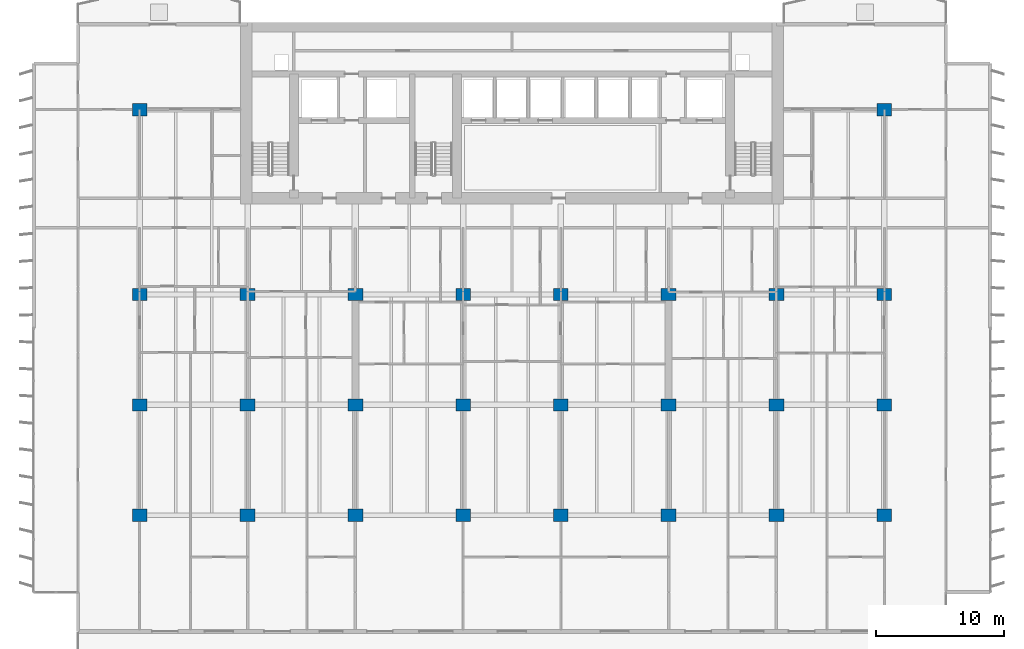
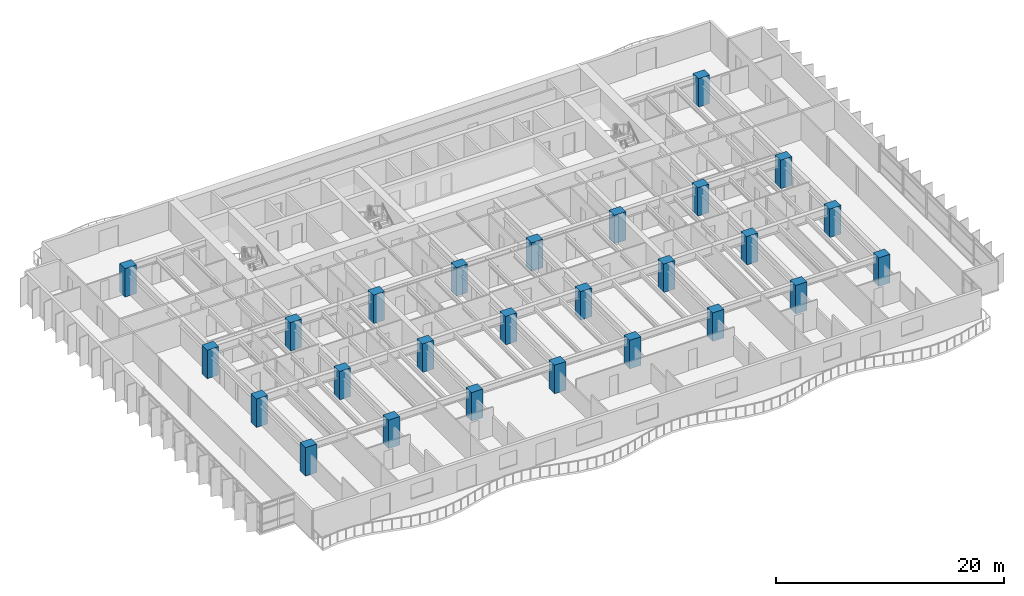
# One storey, part 1 of 17: 26 columns.
"""IFC4 building model written with IfcOpenShell, lengths in metres."""

from ifc_helpers import new_model, si_unit, direction, frame, origin, origin_2d, place, context, subcontext, project, spatial, rectangle, extrude, material, material_profile, profile_set, type_object, element, save


model = new_model("IFC4")

# Units and contexts
model_context = context("Model", 3, precision=1e-05, world=origin(), true_north=direction((0.0, 1.0)))
body_context = subcontext(model_context, "Body", "Model", "MODEL_VIEW")
ifc_project = project(units=[si_unit("LENGTHUNIT", "METRE"), si_unit("AREAUNIT", "SQUARE_METRE"), si_unit("VOLUMEUNIT", "CUBIC_METRE"), si_unit("PLANEANGLEUNIT", "RADIAN"), si_unit("MASSUNIT", "GRAM", prefix="KILO")], contexts=[model_context])

# Site, building, storey
site_placement = place(None, origin())
site = spatial("IfcSite", under=ifc_project, at=site_placement, CompositionType="ELEMENT")
building_placement = place(site_placement, origin())
building = spatial("IfcBuilding", under=site, at=building_placement, Name="Caelmar Bay Residences", CompositionType="ELEMENT")
storey_placement = place(building_placement, frame((0.0, 0.0, 49.800048828125)))
storey = spatial("IfcBuildingStorey", under=building, at=storey_placement, Name="L12", CompositionType="ELEMENT", Elevation=49.800048828125)

# Columns
ifc_material = material(Name="Concrete f'c 70 MPa (10,000 psi)", Category="concrete")
ifc_material_profile = material_profile(ifc_material, rectangle(XDim=1.14990234375, YDim=0.949951171875, at=origin_2d()), Name="RC-COL-1150X950")
ifc_profile_set = profile_set([ifc_material_profile], Name="Concrete f'c 70 MPa (10,000 psi)")
column_type = type_object("IfcColumnType", Name="COL-RC-1150X950", PredefinedType="COLUMN", material=ifc_profile_set)
for number, where, z_axis, x_axis, name in (
    (1, (9.89990234375, 12.199951171875, 0.0), (0.0, 0.0, 1.0), (1.0, 0.0, 0.0), "L12 Column (9.90,12.20)"),
    (2, (18.300048828125, 12.199951171875, 0.0), (0.0, 0.0, 1.0), (1.0, 0.0, 0.0), "L12 Column (18.30,12.20)"),
    (3, (26.699951171875, 12.199951171875, 0.0), (0.0, 0.0, 1.0), (1.0, 0.0, 0.0), "L12 Column (26.70,12.20)"),
    (4, (35.10009765625, 12.199951171875, 0.0), (0.0, 0.0, 1.0), (1.0, 0.0, 0.0), "L12 Column (35.10,12.20)"),
    (5, (42.699951171875, 12.199951171875, 0.0), (0.0, 0.0, 1.0), (1.0, 0.0, 0.0), "L12 Column (42.70,12.20)"),
    (6, (51.10009765625, 12.199951171875, 0.0), (0.0, 0.0, 1.0), (1.0, 0.0, 0.0), "L12 Column (51.10,12.20)"),
    (7, (59.5, 12.199951171875, 0.0), (0.0, 0.0, 1.0), (1.0, 0.0, 0.0), "L12 Column (59.50,12.20)"),
    (8, (67.89990234375, 12.199951171875, 0.0), (0.0, 0.0, 1.0), (1.0, 0.0, 0.0), "L12 Column (67.90,12.20)"),
    (9, (9.89990234375, 20.800048828125, 0.0), (0.0, 0.0, 1.0), (1.0, 0.0, 0.0), "L12 Column (9.90,20.80)"),
    (10, (18.300048828125, 20.800048828125, 0.0), (0.0, 0.0, 1.0), (1.0, 0.0, 0.0), "L12 Column (18.30,20.80)"),
    (11, (26.699951171875, 20.800048828125, 0.0), (0.0, 0.0, 1.0), (1.0, 0.0, 0.0), "L12 Column (26.70,20.80)"),
    (12, (35.10009765625, 20.800048828125, 0.0), (0.0, 0.0, 1.0), (1.0, 0.0, 0.0), "L12 Column (35.10,20.80)"),
    (13, (42.699951171875, 20.800048828125, 0.0), (0.0, 0.0, 1.0), (1.0, 0.0, 0.0), "L12 Column (42.70,20.80)"),
    (14, (51.10009765625, 20.800048828125, 0.0), (0.0, 0.0, 1.0), (1.0, 0.0, 0.0), "L12 Column (51.10,20.80)"),
    (15, (59.5, 20.800048828125, 0.0), (0.0, 0.0, 1.0), (1.0, 0.0, 0.0), "L12 Column (59.50,20.80)"),
    (16, (67.89990234375, 20.800048828125, 0.0), (0.0, 0.0, 1.0), (1.0, 0.0, 0.0), "L12 Column (67.90,20.80)"),
    (17, (9.89990234375, 29.39990234375, 0.0), (0.0, 0.0, 1.0), (1.0, 0.0, 0.0), "L12 Column (9.90,29.40)"),
    (18, (18.300048828125, 29.39990234375, 0.0), (0.0, 0.0, 1.0), (1.0, 0.0, 0.0), "L12 Column (18.30,29.40)"),
    (19, (26.699951171875, 29.39990234375, 0.0), (0.0, 0.0, 1.0), (1.0, 0.0, 0.0), "L12 Column (26.70,29.40)"),
    (20, (35.10009765625, 29.39990234375, 0.0), (0.0, 0.0, 1.0), (1.0, 0.0, 0.0), "L12 Column (35.10,29.40)"),
    (21, (42.699951171875, 29.39990234375, 0.0), (0.0, 0.0, 1.0), (1.0, 0.0, 0.0), "L12 Column (42.70,29.40)"),
    (22, (51.10009765625, 29.39990234375, 0.0), (0.0, 0.0, 1.0), (1.0, 0.0, 0.0), "L12 Column (51.10,29.40)"),
    (23, (59.5, 29.39990234375, 0.0), (0.0, 0.0, 1.0), (1.0, 0.0, 0.0), "L12 Column (59.50,29.40)"),
    (24, (67.89990234375, 29.39990234375, 0.0), (0.0, 0.0, 1.0), (1.0, 0.0, 0.0), "L12 Column (67.90,29.40)"),
    (25, (9.89990234375, 43.800048828125, 0.0), (0.0, 0.0, 1.0), (1.0, 0.0, 0.0), "L12 Column (9.90,43.80)"),
    (26, (67.89990234375, 43.800048828125, 0.0), (0.0, 0.0, 1.0), (1.0, 0.0, 0.0), "L12 Column (67.90,43.80)"),
):
    element("IfcColumn", number, at=place(storey_placement, frame(where, z_axis=z_axis, x_axis=x_axis)), inside=storey, type_object=column_type, Name=name, PredefinedType="COLUMN", context=body_context, shape_type="SweptSolid", body=[
        extrude(rectangle(XDim=1.14990234375, YDim=0.949951171875, at=origin_2d()), origin(), (0.0, 0.0, 1.0), 3.050048828125),
    ])

save(model, "model.ifc")
